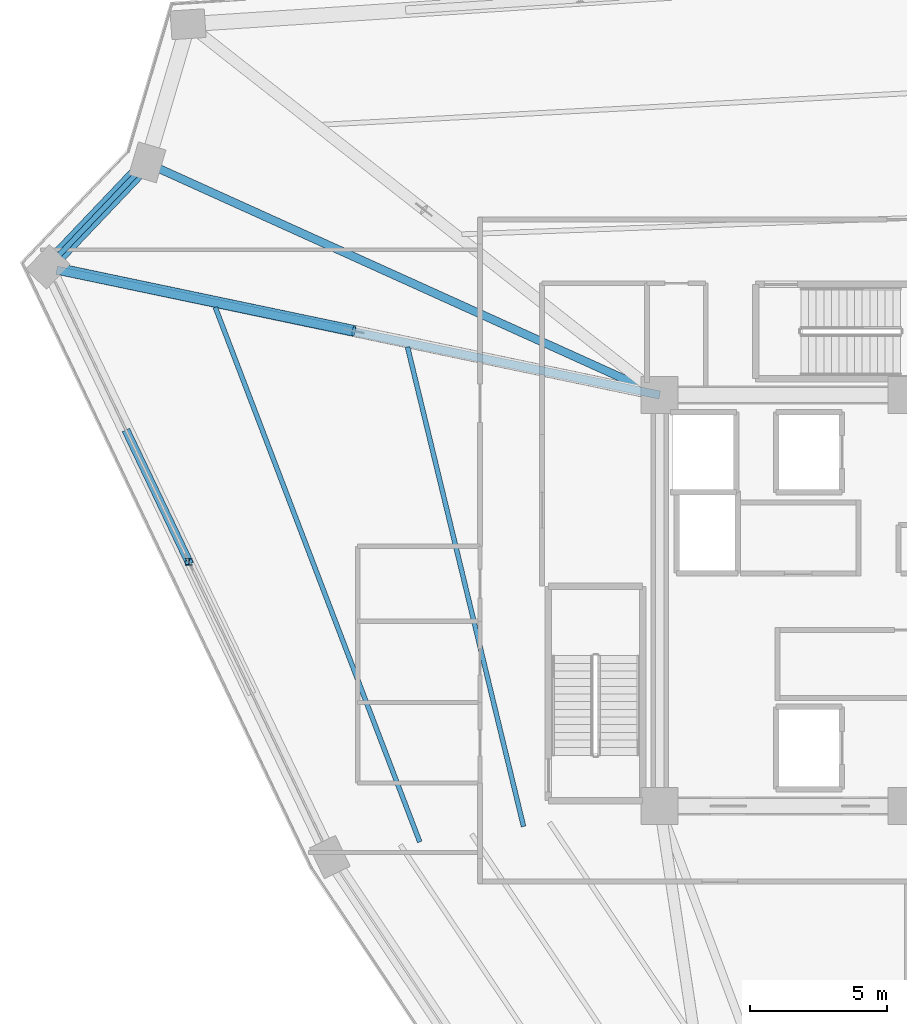
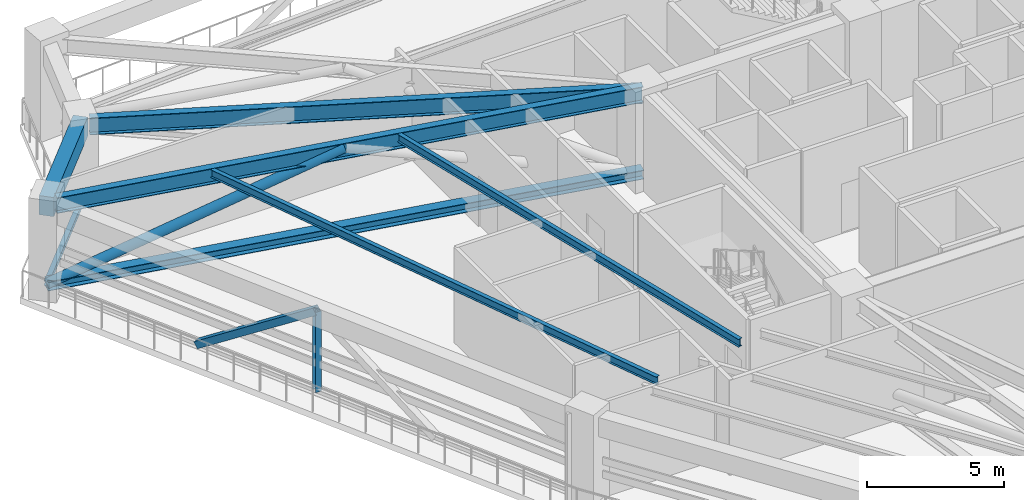
# One storey, part 5 of 22: 5 beams, 5 members.
"""IFC4 building model written with IfcOpenShell, lengths in metres."""

from ifc_helpers import new_model, si_unit, direction, frame, origin, origin_2d, place, context, subcontext, project, spatial, rectangle, hollow_rectangle, hollow_circle, i_section, extrude, source, transform, mapped, material, material_profile, profile_set, type_object, element, save


model = new_model("IFC4")

# Units and contexts
model_context = context("Model", 3, precision=1e-05, world=origin(), true_north=direction((0.0, 1.0)))
body_context = subcontext(model_context, "Body", "Model", "MODEL_VIEW")
ifc_project = project(units=[si_unit("LENGTHUNIT", "METRE"), si_unit("AREAUNIT", "SQUARE_METRE"), si_unit("VOLUMEUNIT", "CUBIC_METRE"), si_unit("PLANEANGLEUNIT", "RADIAN"), si_unit("MASSUNIT", "GRAM", prefix="KILO")], contexts=[model_context])

# Site, building, storey
site_placement = place(None, origin())
site = spatial("IfcSite", under=ifc_project, at=site_placement, CompositionType="ELEMENT")
building_placement = place(site_placement, origin())
building = spatial("IfcBuilding", under=site, at=building_placement, Name="Liaohun Quay Tower", CompositionType="ELEMENT")
storey_placement = place(building_placement, frame((0.0, 0.0, 277.5)))
storey = spatial("IfcBuildingStorey", under=building, at=storey_placement, Name="L72", CompositionType="ELEMENT", Elevation=277.5)

# Member
ifc_material_1 = material(Name="Steel Q355D", Category="steel")
ifc_material_profile_1 = material_profile(ifc_material_1, i_section(OverallWidth=0.25, OverallDepth=0.25, WebThickness=0.009033203125, FlangeThickness=0.013916015625, at=origin_2d()), Name="HW250x250x9x14")
ifc_profile_set_1 = profile_set([ifc_material_profile_1], Name="Steel Q355D")
member_type_1 = type_object("IfcMemberType", Name="MEM-BLT-PST", PredefinedType="POST", material=ifc_profile_set_1)
shared_shape_1 = source(origin(), body_context, "Body", "SweptSolid", [
    extrude(i_section(OverallWidth=0.25, OverallDepth=0.25, WebThickness=0.009033203125, FlangeThickness=0.013916015625, at=origin_2d()), origin(), (0.0, 0.0, 1.0), 3.56982421875),
])
member_1_placement = place(storey_placement, frame((33.819091796875, 55.408935546875, 0.35009765625), z_axis=(0.0, 0.0, 1.0), x_axis=(1.0, 0.0, 0.0)))
element("IfcMember", 1, at=member_1_placement, inside=storey, type_object=member_type_1, Name="L72 Belt Truss Vertical Post BP-1-02", PredefinedType="POST", context=body_context, shape_type="MappedRepresentation", body=[
    mapped(shared_shape_1, transform((0.0, 0.0, 0.0), x_axis=(1.0, 0.0, 0.0), y_axis=(0.0, 1.0, 0.0), z_axis=(0.0, 0.0, 1.0), scale=1.0)),
])

# Beams
ifc_material_2 = material(Name="Precast concrete C50", Category="concrete")
ifc_material_profile_2 = material_profile(ifc_material_2, rectangle(XDim=0.550048828125, YDim=0.85009765625, at=origin_2d()), Name="RC550x850")
ifc_profile_set_2 = profile_set([ifc_material_profile_2], Name="Precast concrete C50")
beam_type_1 = type_object("IfcBeamType", Name="BM-SPD-Z3", PredefinedType="SPANDREL", material=ifc_profile_set_2)
shared_shape_2 = source(origin(), body_context, "Body", "SweptSolid", [
    extrude(rectangle(XDim=0.550048828125, YDim=0.85009765625, at=origin_2d()), origin(), (0.0, 0.0, 1.0), 5.26318359375),
])
beam_1_placement = place(storey_placement, frame((28.674072265625, 66.178955078125, 3.794921875), z_axis=(0.689307605808, 0.724468787854, 0.0), x_axis=(-0.724468787854, 0.689307605808, 0.0)))
element("IfcBeam", 2, at=beam_1_placement, inside=storey, type_object=beam_type_1, Name="L72 Precast Spandrel Beam PC03-PC04", PredefinedType="SPANDREL", context=body_context, shape_type="MappedRepresentation", body=[
    mapped(shared_shape_2, transform((0.0, 0.0, 0.0), x_axis=(1.0, 0.0, 0.0), y_axis=(0.0, 1.0, 0.0), z_axis=(0.0, 0.0, 1.0), scale=1.0)),
])
ifc_material_profile_3 = material_profile(ifc_material_1, i_section(OverallWidth=0.300048828125, OverallDepth=0.699951171875, WebThickness=0.012939453125, FlangeThickness=0.02392578125, at=origin_2d()), Name="HN700x300x13x24")
ifc_profile_set_3 = profile_set([ifc_material_profile_3], Name="Steel Q355D")
beam_type_2 = type_object("IfcBeamType", Name="BM-RAD-U1", PredefinedType="BEAM", material=ifc_profile_set_3)
shared_shape_3 = source(origin(), body_context, "Body", "SweptSolid", [
    extrude(i_section(OverallWidth=0.300048828125, OverallDepth=0.699951171875, WebThickness=0.012939453125, FlangeThickness=0.02392578125, at=origin_2d()), origin(), (0.0, 0.0, 1.0), 22.470703125),
])
beam_2_placement = place(storey_placement, frame((51.0, 61.5, 3.8701171875), z_axis=(-0.979230601703, 0.202749670007, 0.0), x_axis=(-0.202749670007, -0.979230601703, 0.0)))
element("IfcBeam", 3, at=beam_2_placement, inside=storey, type_object=beam_type_2, Name="L72 Radial Primary Girder CC6-PC03", PredefinedType="BEAM", context=body_context, shape_type="MappedRepresentation", body=[
    mapped(shared_shape_3, transform((0.0, 0.0, 0.0), x_axis=(1.0, 0.0, 0.0), y_axis=(0.0, 1.0, 0.0), z_axis=(0.0, 0.0, 1.0), scale=1.0)),
])
ifc_material_profile_4 = material_profile(ifc_material_1, i_section(OverallWidth=0.300048828125, OverallDepth=0.75, WebThickness=0.013916015625, FlangeThickness=0.02587890625, at=origin_2d()), Name="HN750x300x14x26")
ifc_profile_set_4 = profile_set([ifc_material_profile_4], Name="Steel Q355D")
beam_type_3 = type_object("IfcBeamType", Name="BM-RAD-M2", PredefinedType="BEAM", material=ifc_profile_set_4)
shared_shape_4 = source(origin(), body_context, "Body", "SweptSolid", [
    extrude(i_section(OverallWidth=0.300048828125, OverallDepth=0.75, WebThickness=0.013916015625, FlangeThickness=0.02587890625, at=origin_2d()), origin(), (0.0, 0.0, 1.0), 20.210693359375),
])
beam_3_placement = place(storey_placement, frame((51.0, 61.5, 3.844970703125), z_axis=(-0.911158679707, 0.412055652059, 0.0), x_axis=(-0.412055652059, -0.911158679707, 0.0)))
element("IfcBeam", 4, at=beam_3_placement, inside=storey, type_object=beam_type_3, Name="L72 Radial Primary Girder CC6-PC04", PredefinedType="BEAM", context=body_context, shape_type="MappedRepresentation", body=[
    mapped(shared_shape_4, transform((0.0, 0.0, 0.0), x_axis=(1.0, 0.0, 0.0), y_axis=(0.0, 1.0, 0.0), z_axis=(0.0, 0.0, 1.0), scale=1.0)),
])
ifc_material_profile_5 = material_profile(ifc_material_1, i_section(OverallWidth=0.175048828125, OverallDepth=0.35009765625, WebThickness=0.007080078125, FlangeThickness=0.010986328125, at=origin_2d()), Name="HN350x175x7x11")
ifc_profile_set_5 = profile_set([ifc_material_profile_5], Name="Steel Q355D")
beam_type_4 = type_object("IfcBeamType", Name="BM-SEC-J3", PredefinedType="JOIST", material=ifc_profile_set_5)
shared_shape_5 = source(origin(), body_context, "Body", "SweptSolid", [
    extrude(i_section(OverallWidth=0.175048828125, OverallDepth=0.35009765625, WebThickness=0.007080078125, FlangeThickness=0.010986328125, at=origin_2d()), origin(), (0.0, 0.0, 1.0), 18.000732421875),
])
beam_4_placement = place(storey_placement, frame((46.031005859375, 45.756103515625, 4.044921875), z_axis=(-0.235204840225, 0.971945823148, 0.0), x_axis=(-0.971945823148, -0.235204840225, 0.0)))
element("IfcBeam", 5, at=beam_4_placement, inside=storey, type_object=beam_type_4, Name="L72 Wing Secondary Floor Joist SJ-04", PredefinedType="JOIST", context=body_context, shape_type="MappedRepresentation", body=[
    mapped(shared_shape_5, transform((0.0, 0.0, 0.0), x_axis=(1.0, 0.0, 0.0), y_axis=(0.0, 1.0, 0.0), z_axis=(0.0, 0.0, 1.0), scale=1.0)),
])
shared_shape_6 = source(origin(), body_context, "Body", "SweptSolid", [
    extrude(i_section(OverallWidth=0.175048828125, OverallDepth=0.35009765625, WebThickness=0.007080078125, FlangeThickness=0.010986328125, at=origin_2d()), origin(), (0.0, 0.0, 1.0), 20.894287109375),
])
beam_5_placement = place(storey_placement, frame((42.243896484375, 45.18896484375, 4.044921875), z_axis=(-0.357172845899, 0.934038306577, 0.0), x_axis=(-0.934038306577, -0.357172845899, 0.0)))
element("IfcBeam", 6, at=beam_5_placement, inside=storey, type_object=beam_type_4, Name="L72 Wing Secondary Floor Joist SJ-05", PredefinedType="JOIST", context=body_context, shape_type="MappedRepresentation", body=[
    mapped(shared_shape_6, transform((0.0, 0.0, 0.0), x_axis=(1.0, 0.0, 0.0), y_axis=(0.0, 1.0, 0.0), z_axis=(0.0, 0.0, 1.0), scale=1.0)),
])

# Members
ifc_material_3 = material(Name="Steel Q420D", Category="steel")
ifc_material_profile_6 = material_profile(ifc_material_3, i_section(OverallWidth=0.407958984375, OverallDepth=0.39990234375, WebThickness=0.02099609375, FlangeThickness=0.02099609375, at=origin_2d()), Name="HW400x408x21x21")
ifc_profile_set_6 = profile_set([ifc_material_profile_6], Name="Steel Q420D")
member_type_2 = type_object("IfcMemberType", Name="MEM-OUT-CH2", PredefinedType="CHORD", material=ifc_profile_set_6)
shared_shape_7 = source(origin(), body_context, "Body", "SweptSolid", [
    extrude(i_section(OverallWidth=0.407958984375, OverallDepth=0.39990234375, WebThickness=0.02099609375, FlangeThickness=0.02099609375, at=origin_2d()), origin(), (0.0, 0.0, 1.0), 22.81103515625),
])
member_2_placement = place(storey_placement, frame((51.0, 61.5, 0.35009765625), z_axis=(-0.978737089066, 0.205118771659, 0.0), x_axis=(-0.205118771659, -0.978737089066, 0.0)))
element("IfcMember", 7, at=member_2_placement, inside=storey, type_object=member_type_2, Name="L72 Outrigger Bottom Chord OC-02", PredefinedType="CHORD", context=body_context, shape_type="MappedRepresentation", body=[
    mapped(shared_shape_7, transform((0.0, 0.0, 0.0), x_axis=(1.0, 0.0, 0.0), y_axis=(0.0, 1.0, 0.0), z_axis=(0.0, 0.0, 1.0), scale=1.0)),
])
ifc_material_profile_7 = material_profile(ifc_material_3, hollow_circle(Radius=0.202880859375, WallThickness=0.01611328125, at=origin_2d()), Name="CHS406x16")
ifc_profile_set_7 = profile_set([ifc_material_profile_7], Name="Steel Q420D")
member_type_3 = type_object("IfcMemberType", Name="MEM-OUT-DG2", PredefinedType="BRACE", material=ifc_profile_set_7)
shared_shape_8 = source(origin(), body_context, "Body", "SweptSolid", [
    extrude(hollow_circle(Radius=0.202880859375, WallThickness=0.01611328125, at=origin_2d()), origin(), (0.0, 0.0, 1.0), 11.950927734375),
])
member_3_placement = place(storey_placement, frame((39.8369140625, 63.840087890625, 3.919921875), z_axis=(-0.93406203846, 0.195707069275, -0.298708639555), x_axis=(-0.205069656639, -0.978747381057, 0.0)))
element("IfcMember", 8, at=member_3_placement, inside=storey, type_object=member_type_3, Name="L72 Outrigger Diagonal OD-02B", PredefinedType="BRACE", context=body_context, shape_type="MappedRepresentation", body=[
    mapped(shared_shape_8, transform((0.0, 0.0, 0.0), x_axis=(1.0, 0.0, 0.0), y_axis=(0.0, 1.0, 0.0), z_axis=(0.0, 0.0, 1.0), scale=1.0)),
])
ifc_material_profile_8 = material_profile(ifc_material_1, hollow_rectangle(XDim=0.300048828125, YDim=0.300048828125, WallThickness=0.013916015625, at=origin_2d()), Name="SHS300x300x14")
ifc_profile_set_8 = profile_set([ifc_material_profile_8], Name="Steel Q355D")
member_type_4 = type_object("IfcMemberType", Name="MEM-BLT-DG3", PredefinedType="BRACE", material=ifc_profile_set_8)
shared_shape_9 = source(origin(), body_context, "Body", "SweptSolid", [
    extrude(hollow_rectangle(XDim=0.300048828125, YDim=0.300048828125, WallThickness=0.013916015625, at=origin_2d()), origin(), (0.0, 0.0, 1.0), 6.350341796875),
])
member_4_placement = place(storey_placement, frame((33.819091796875, 55.408935546875, 3.919921875), z_axis=(-0.356534939367, 0.746247542381, -0.562136498104), x_axis=(-0.902306427625, -0.431095245469, 0.0)))
element("IfcMember", 9, at=member_4_placement, inside=storey, type_object=member_type_4, Name="L72 Belt Truss Diagonal BD-02B", PredefinedType="BRACE", context=body_context, shape_type="MappedRepresentation", body=[
    mapped(shared_shape_9, transform((0.0, 0.0, 0.0), x_axis=(1.0, 0.0, 0.0), y_axis=(0.0, 1.0, 0.0), z_axis=(0.0, 0.0, 1.0), scale=1.0)),
])
ifc_material_profile_9 = material_profile(ifc_material_1, i_section(OverallWidth=0.199951171875, OverallDepth=0.199951171875, WebThickness=0.008056640625, FlangeThickness=0.011962890625, at=origin_2d()), Name="HW200x200x8x12")
ifc_profile_set_9 = profile_set([ifc_material_profile_9], Name="Steel Q355D")
member_type_5 = type_object("IfcMemberType", Name="MEM-HDR-TRM", PredefinedType="STUD", material=ifc_profile_set_9)
shared_shape_10 = source(origin(), body_context, "Body", "SweptSolid", [
    extrude(i_section(OverallWidth=0.199951171875, OverallDepth=0.199951171875, WebThickness=0.008056640625, FlangeThickness=0.011962890625, at=origin_2d()), origin(), (0.0, 0.0, 1.0), 5.26318359375),
])
member_5_placement = place(storey_placement, frame((28.674072265625, 66.178955078125, 0.35009765625), z_axis=(0.689307605808, 0.724468787854, 0.0), x_axis=(-0.724468787854, 0.689307605808, 0.0)))
element("IfcMember", 10, at=member_5_placement, inside=storey, type_object=member_type_5, Name="L72 Refuge Notch Header Tie Stud HT-1-01", PredefinedType="STUD", context=body_context, shape_type="MappedRepresentation", body=[
    mapped(shared_shape_10, transform((0.0, 0.0, 0.0), x_axis=(1.0, 0.0, 0.0), y_axis=(0.0, 1.0, 0.0), z_axis=(0.0, 0.0, 1.0), scale=1.0)),
])

save(model, "model.ifc")
